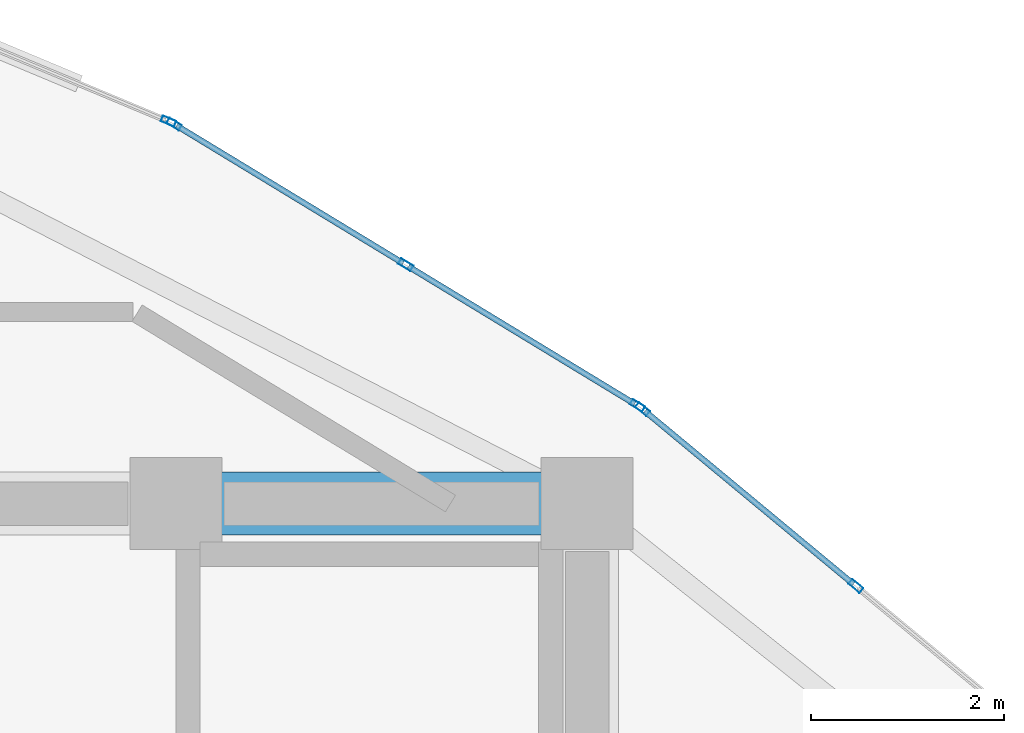
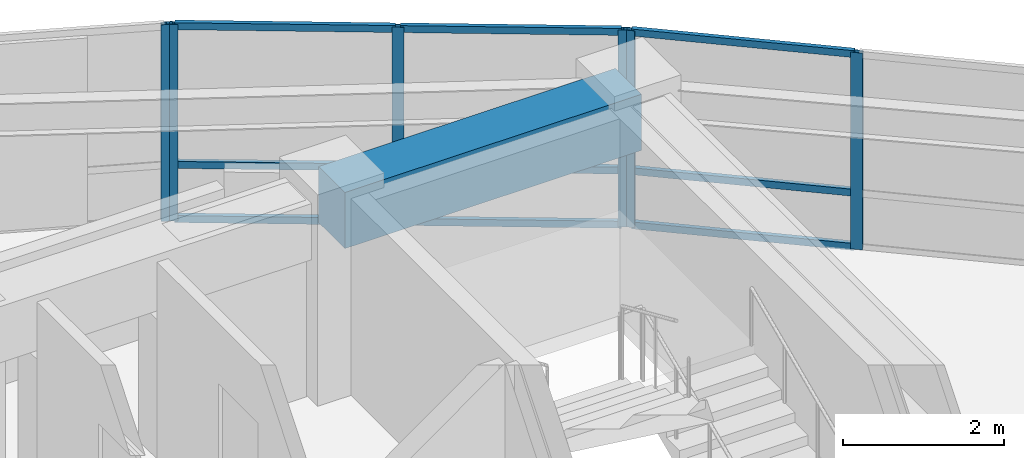
# One storey, part 10 of 14: 15 members, 1 beam, 3 elements without a shape of their own.
"""IFC4 building model written with IfcOpenShell, lengths in metres."""

from ifc_helpers import new_model, si_unit, direction, frame, origin, origin_2d, place, context, subcontext, project, spatial, rectangle, hollow_rectangle, extrude, material, layer, layer_set, material_profile, profile_set, type_object, element, aggregate, save


model = new_model("IFC4")

# Units and contexts
model_context = context("Model", 3, precision=1e-05, world=origin(), true_north=direction((0.0, 1.0)))
body_context = subcontext(model_context, "Body", "Model", "MODEL_VIEW")
ifc_project = project(units=[si_unit("LENGTHUNIT", "METRE"), si_unit("AREAUNIT", "SQUARE_METRE"), si_unit("VOLUMEUNIT", "CUBIC_METRE"), si_unit("PLANEANGLEUNIT", "RADIAN"), si_unit("MASSUNIT", "GRAM", prefix="KILO")], contexts=[model_context])

# Site, building, storey
site_placement = place(None, origin())
site = spatial("IfcSite", under=ifc_project, at=site_placement, CompositionType="ELEMENT")
building_placement = place(site_placement, origin())
building = spatial("IfcBuilding", under=site, at=building_placement, Name="Menara Vayukalpa", CompositionType="ELEMENT")
storey_placement = place(building_placement, frame((0.0, 0.0, 312.02001953125)))
storey = spatial("IfcBuildingStorey", under=building, at=storey_placement, Name="L80", CompositionType="ELEMENT", Elevation=312.02001953125)

# Beam
ifc_material_1 = material(Name="Concrete C60/75", Category="concrete")
ifc_material_profile_1 = material_profile(ifc_material_1, rectangle(XDim=0.64990234375, YDim=0.85009765625, at=origin_2d()), Name="RC 650x850")
ifc_profile_set_1 = profile_set([ifc_material_profile_1], Name="Concrete C60/75")
beam_type = type_object("IfcBeamType", Name="BM-CB1", PredefinedType="BEAM", material=ifc_profile_set_1)
beam_placement = place(storey_placement, frame((29.14990234375, 26.800048828125, 2.554931640625), z_axis=(1.0, 0.0, 0.0), x_axis=(0.0, 1.0, 0.0)))
element("IfcBeam", 1, at=beam_placement, inside=storey, type_object=beam_type, Name="L80 Core Tie Beam CBR6", PredefinedType="BEAM", context=body_context, shape_type="SweptSolid", body=[
    extrude(rectangle(XDim=0.64990234375, YDim=0.85009765625, at=origin_2d()), origin(), (0.0, 0.0, 1.0), 4.25),
])

# Curtain wall, members
ifc_material_2 = material(Name="Anodised Terracotta Aluminium Alloy 6063-T6", Category="masonry")
ifc_layer = layer(ifc_material_2, 0.14990234375)
ifc_layer_set = layer_set([ifc_layer], Name="Anodised Terracotta Aluminium Alloy 6063-T6")
curtain_wall_type = type_object("IfcCurtainWallType", Name="CW-CW7", PredefinedType="USERDEFINED", material=ifc_layer_set)
curtain_wall_1_placement = place(storey_placement, origin())
curtain_wall_1 = element("IfcCurtainWall", 2, at=curtain_wall_1_placement, inside=storey, type_object=curtain_wall_type, Name="L80 Crown Drum Screened Curtain Wall CW7 03", ObjectType="UNITISED", PredefinedType="USERDEFINED")
ifc_material_3 = material(Name="Anodised Terracotta Aluminium Alloy 6063-T6", Category="masonry")
ifc_material_profile_2 = material_profile(ifc_material_3, hollow_rectangle(XDim=0.06494140625, YDim=0.14990234375, WallThickness=0.00341796875, at=origin_2d()), Name="ALU 65x150x3.5")
ifc_profile_set_2 = profile_set([ifc_material_profile_2], Name="Anodised Terracotta Aluminium Alloy 6063-T6")
member_type_1 = type_object("IfcMemberType", Name="CWM-CW7", PredefinedType="MULLION", material=ifc_profile_set_2)
member_1_placement = place(storey_placement, frame((36.1796875, 25.946533203125, 0.0), z_axis=(0.0, 0.0, 1.0), x_axis=(-0.63834658997, -0.7697490702, 0.0)))
member_1 = element("IfcMember", 3, at=member_1_placement, type_object=member_type_1, Name="CW7 mullion 2", PredefinedType="MULLION", context=body_context, shape_type="SweptSolid", body=[
    extrude(hollow_rectangle(XDim=0.06494140625, YDim=0.14990234375, WallThickness=0.00341796875, at=origin_2d()), origin(), (0.0, 0.0, 1.0), 2.97998046875),
])
member_2_placement = place(storey_placement, frame((33.9736328125, 27.776123046875, 0.0), z_axis=(0.0, 0.0, 1.0), x_axis=(-0.63834658997, -0.7697490702, 0.0)))
member_2 = element("IfcMember", 4, at=member_2_placement, type_object=member_type_1, Name="CW7 mullion 3", PredefinedType="MULLION", context=body_context, shape_type="SweptSolid", body=[
    extrude(hollow_rectangle(XDim=0.06494140625, YDim=0.14990234375, WallThickness=0.00341796875, at=origin_2d()), origin(), (0.0, 0.0, 1.0), 2.97998046875),
])

curtain_wall_2_placement = place(storey_placement, origin())
curtain_wall_2 = element("IfcCurtainWall", 5, at=curtain_wall_2_placement, inside=storey, type_object=curtain_wall_type, Name="L80 Crown Drum Screened Curtain Wall CW7 04", ObjectType="UNITISED", PredefinedType="USERDEFINED")
member_3_placement = place(storey_placement, frame((33.9208984375, 27.813720703125, 0.0), z_axis=(0.0, 0.0, 1.0), x_axis=(-0.519176441176, -0.854667083096, 0.0)))
member_3 = element("IfcMember", 6, at=member_3_placement, type_object=member_type_1, Name="CW7 mullion 1", PredefinedType="MULLION", context=body_context, shape_type="SweptSolid", body=[
    extrude(hollow_rectangle(XDim=0.06494140625, YDim=0.14990234375, WallThickness=0.00341796875, at=origin_2d()), origin(), (0.0, 0.0, 1.0), 2.97998046875),
])
member_4_placement = place(storey_placement, frame((31.525146484375, 29.26904296875, 0.0), z_axis=(0.0, 0.0, 1.0), x_axis=(-0.519176441176, -0.854667083096, 0.0)))
member_4 = element("IfcMember", 7, at=member_4_placement, type_object=member_type_1, Name="CW7 mullion 2", PredefinedType="MULLION", context=body_context, shape_type="SweptSolid", body=[
    extrude(hollow_rectangle(XDim=0.06494140625, YDim=0.14990234375, WallThickness=0.00341796875, at=origin_2d()), origin(), (0.0, 0.0, 1.0), 2.97998046875),
])
member_5_placement = place(storey_placement, frame((29.129638671875, 30.72412109375, 0.0), z_axis=(0.0, 0.0, 1.0), x_axis=(-0.519176441176, -0.854667083096, 0.0)))
member_5 = element("IfcMember", 8, at=member_5_placement, type_object=member_type_1, Name="CW7 mullion 3", PredefinedType="MULLION", context=body_context, shape_type="SweptSolid", body=[
    extrude(hollow_rectangle(XDim=0.06494140625, YDim=0.14990234375, WallThickness=0.00341796875, at=origin_2d()), origin(), (0.0, 0.0, 1.0), 2.97998046875),
])

# Curtain wall, member
curtain_wall_3_placement = place(storey_placement, origin())
curtain_wall_3 = element("IfcCurtainWall", 9, at=curtain_wall_3_placement, inside=storey, type_object=curtain_wall_type, Name="L80 Crown Drum Screened Curtain Wall CW7 05", ObjectType="UNITISED", PredefinedType="USERDEFINED")
member_6_placement = place(storey_placement, frame((29.07177734375, 30.753662109375, 0.0), z_axis=(0.0, 0.0, 1.0), x_axis=(-0.385898361946, -0.922541302191, 0.0)))
member_6 = element("IfcMember", 10, at=member_6_placement, type_object=member_type_1, Name="CW7 mullion 1", PredefinedType="MULLION", context=body_context, shape_type="SweptSolid", body=[
    extrude(hollow_rectangle(XDim=0.06494140625, YDim=0.14990234375, WallThickness=0.00341796875, at=origin_2d()), origin(), (0.0, 0.0, 1.0), 2.97998046875),
])
aggregate(curtain_wall_3, [member_6])

# Member
ifc_material_4 = material(Name="Anodised Terracotta Aluminium Alloy 6063-T6", Category="masonry")
ifc_material_profile_3 = material_profile(ifc_material_4, hollow_rectangle(XDim=0.06005859375, YDim=0.10498046875, WallThickness=0.0029296875, at=origin_2d()), Name="ALU 60x105x3")
ifc_profile_set_3 = profile_set([ifc_material_profile_3], Name="Anodised Terracotta Aluminium Alloy 6063-T6")
member_type_2 = type_object("IfcMemberType", Name="CWT-CW7", PredefinedType="USERDEFINED", material=ifc_profile_set_3)
member_7_placement = place(storey_placement, frame((36.15478515625, 25.96728515625, 0.030029296875), z_axis=(-0.769726621741, 0.638373658434, 0.0), x_axis=(-0.638373658434, -0.769726621741, 0.0)))
member_7 = element("IfcMember", 11, at=member_7_placement, type_object=member_type_2, Name="CW7 transom 2.1", ObjectType="TRANSOM", PredefinedType="USERDEFINED", context=body_context, shape_type="SweptSolid", body=[
    extrude(hollow_rectangle(XDim=0.06005859375, YDim=0.10498046875, WallThickness=0.0029296875, at=origin_2d()), origin(), (0.0, 0.0, 1.0), 2.801025390625),
])

member_8_placement = place(storey_placement, frame((36.15478515625, 25.96728515625, 0.85009765625), z_axis=(-0.769726621741, 0.638373658434, 0.0), x_axis=(-0.638373658434, -0.769726621741, 0.0)))
member_8 = element("IfcMember", 12, at=member_8_placement, type_object=member_type_2, Name="CW7 transom 2.2", ObjectType="TRANSOM", PredefinedType="USERDEFINED", context=body_context, shape_type="SweptSolid", body=[
    extrude(hollow_rectangle(XDim=0.06005859375, YDim=0.10498046875, WallThickness=0.0029296875, at=origin_2d()), origin(), (0.0, 0.0, 1.0), 2.801025390625),
])

member_9_placement = place(storey_placement, frame((36.15478515625, 25.96728515625, 2.949951171875), z_axis=(-0.769726621741, 0.638373658434, 0.0), x_axis=(-0.638373658434, -0.769726621741, 0.0)))
member_9 = element("IfcMember", 13, at=member_9_placement, type_object=member_type_2, Name="CW7 transom 2.3", ObjectType="TRANSOM", PredefinedType="USERDEFINED", context=body_context, shape_type="SweptSolid", body=[
    extrude(hollow_rectangle(XDim=0.06005859375, YDim=0.10498046875, WallThickness=0.0029296875, at=origin_2d()), origin(), (0.0, 0.0, 1.0), 2.801025390625),
])

aggregate(curtain_wall_1, [member_1, member_2, member_7, member_8, member_9])

member_10_placement = place(storey_placement, frame((33.89306640625, 27.83056640625, 0.030029296875), z_axis=(-0.854647628743, 0.519208465537, 0.0), x_axis=(-0.519208465537, -0.854647628743, 0.0)))
member_10 = element("IfcMember", 14, at=member_10_placement, type_object=member_type_2, Name="CW7 transom 1.1", ObjectType="TRANSOM", PredefinedType="USERDEFINED", context=body_context, shape_type="SweptSolid", body=[
    extrude(hollow_rectangle(XDim=0.06005859375, YDim=0.10498046875, WallThickness=0.0029296875, at=origin_2d()), origin(), (0.0, 0.0, 1.0), 2.738037109375),
])

member_11_placement = place(storey_placement, frame((33.89306640625, 27.83056640625, 0.85009765625), z_axis=(-0.854647628743, 0.519208465537, 0.0), x_axis=(-0.519208465537, -0.854647628743, 0.0)))
member_11 = element("IfcMember", 15, at=member_11_placement, type_object=member_type_2, Name="CW7 transom 1.2", ObjectType="TRANSOM", PredefinedType="USERDEFINED", context=body_context, shape_type="SweptSolid", body=[
    extrude(hollow_rectangle(XDim=0.06005859375, YDim=0.10498046875, WallThickness=0.0029296875, at=origin_2d()), origin(), (0.0, 0.0, 1.0), 2.738037109375),
])

member_12_placement = place(storey_placement, frame((33.89306640625, 27.83056640625, 2.949951171875), z_axis=(-0.854647628743, 0.519208465537, 0.0), x_axis=(-0.519208465537, -0.854647628743, 0.0)))
member_12 = element("IfcMember", 16, at=member_12_placement, type_object=member_type_2, Name="CW7 transom 1.3", ObjectType="TRANSOM", PredefinedType="USERDEFINED", context=body_context, shape_type="SweptSolid", body=[
    extrude(hollow_rectangle(XDim=0.06005859375, YDim=0.10498046875, WallThickness=0.0029296875, at=origin_2d()), origin(), (0.0, 0.0, 1.0), 2.738037109375),
])

member_13_placement = place(storey_placement, frame((31.49755859375, 29.285888671875, 0.030029296875), z_axis=(-0.854687194246, 0.519143332801, 0.0), x_axis=(-0.519143332801, -0.854687194246, 0.0)))
member_13 = element("IfcMember", 17, at=member_13_placement, type_object=member_type_2, Name="CW7 transom 2.1", ObjectType="TRANSOM", PredefinedType="USERDEFINED", context=body_context, shape_type="SweptSolid", body=[
    extrude(hollow_rectangle(XDim=0.06005859375, YDim=0.10498046875, WallThickness=0.0029296875, at=origin_2d()), origin(), (0.0, 0.0, 1.0), 2.738037109375),
])

member_14_placement = place(storey_placement, frame((31.49755859375, 29.285888671875, 0.85009765625), z_axis=(-0.854687194246, 0.519143332801, 0.0), x_axis=(-0.519143332801, -0.854687194246, 0.0)))
member_14 = element("IfcMember", 18, at=member_14_placement, type_object=member_type_2, Name="CW7 transom 2.2", ObjectType="TRANSOM", PredefinedType="USERDEFINED", context=body_context, shape_type="SweptSolid", body=[
    extrude(hollow_rectangle(XDim=0.06005859375, YDim=0.10498046875, WallThickness=0.0029296875, at=origin_2d()), origin(), (0.0, 0.0, 1.0), 2.738037109375),
])

member_15_placement = place(storey_placement, frame((31.49755859375, 29.285888671875, 2.949951171875), z_axis=(-0.854687194246, 0.519143332801, 0.0), x_axis=(-0.519143332801, -0.854687194246, 0.0)))
member_15 = element("IfcMember", 19, at=member_15_placement, type_object=member_type_2, Name="CW7 transom 2.3", ObjectType="TRANSOM", PredefinedType="USERDEFINED", context=body_context, shape_type="SweptSolid", body=[
    extrude(hollow_rectangle(XDim=0.06005859375, YDim=0.10498046875, WallThickness=0.0029296875, at=origin_2d()), origin(), (0.0, 0.0, 1.0), 2.738037109375),
])

aggregate(curtain_wall_2, [member_3, member_4, member_5, member_10, member_11, member_12, member_13, member_14, member_15])

save(model, "model.ifc")
